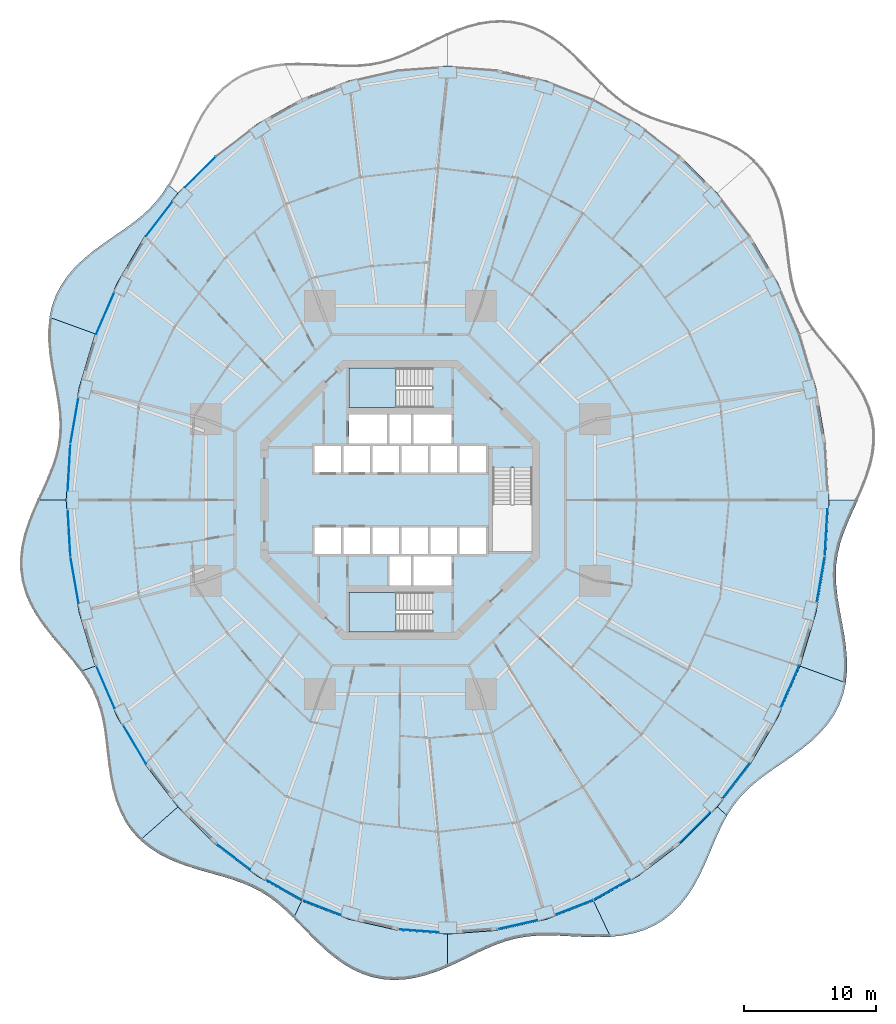
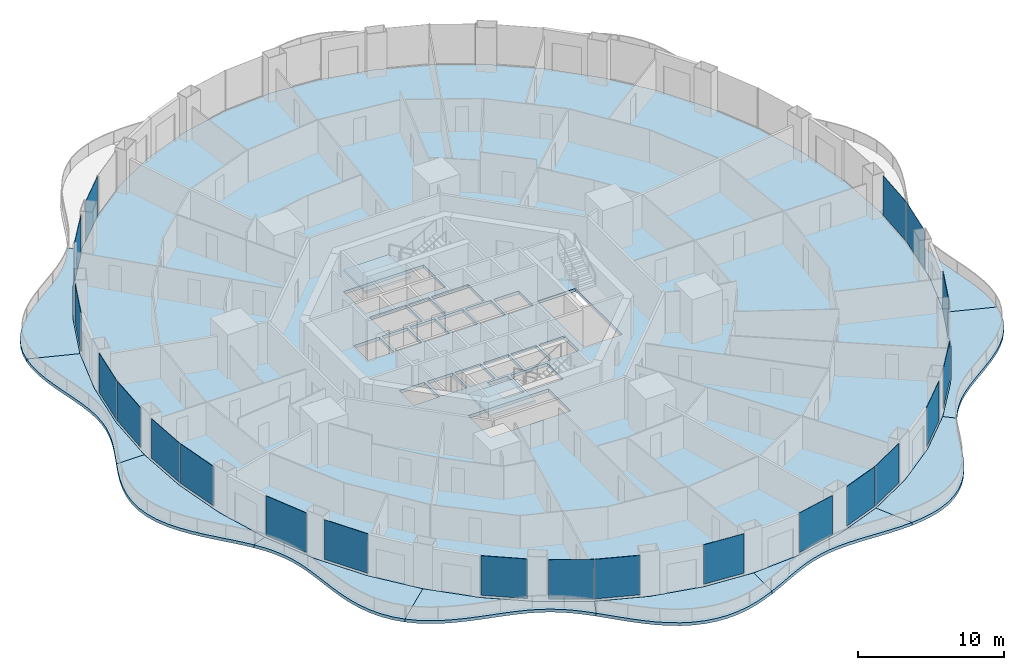
# One storey, part 12 of 22: 21 plates, 13 slabs, 23 elements without a shape of their own.
"""IFC4 building model written with IfcOpenShell, lengths in metres."""

from ifc_helpers import new_model, si_unit, direction, frame, origin, origin_2d, place, context, subcontext, project, spatial, polyline, rectangle, outline, extrude, material, layer, layer_set, type_object, element, aggregate, save


model = new_model("IFC4")

# Units and contexts
model_context = context("Model", 3, precision=1e-05, world=origin(), true_north=direction((0.0, 1.0)))
body_context = subcontext(model_context, "Body", "Model", "MODEL_VIEW")
ifc_project = project(units=[si_unit("LENGTHUNIT", "METRE"), si_unit("AREAUNIT", "SQUARE_METRE"), si_unit("VOLUMEUNIT", "CUBIC_METRE"), si_unit("PLANEANGLEUNIT", "RADIAN"), si_unit("MASSUNIT", "GRAM", prefix="KILO")], contexts=[model_context])

# Site, building, storey
site_placement = place(None, origin())
site = spatial("IfcSite", under=ifc_project, at=site_placement, CompositionType="ELEMENT")
building_placement = place(site_placement, origin())
building = spatial("IfcBuilding", under=site, at=building_placement, Name="Nagisa Residences", CompositionType="ELEMENT")
storey_placement = place(building_placement, frame((0.0, 0.0, 49.199951171875)))
storey = spatial("IfcBuildingStorey", under=building, at=storey_placement, Name="L11", CompositionType="ELEMENT", Elevation=49.199951171875)

# Slabs
ifc_material_1 = material(Name="Concrete C40/50", Category="concrete")
ifc_layer_1 = layer(ifc_material_1, 0.25)
ifc_layer_set_1 = layer_set([ifc_layer_1], Name="BALCONY SLAB 250")
slab_type_1 = type_object("IfcSlabType", Name="BALCONY SLAB 250", PredefinedType="FLOOR", material=ifc_layer_set_1)
slab_1_placement = place(storey_placement, frame((0.0, 0.0, -0.25)))
element("IfcSlab", 1, at=slab_1_placement, inside=storey, type_object=slab_type_1, Name="slab:L11:bal06", PredefinedType="FLOOR", context=body_context, shape_type="SweptSolid", body=[
    extrude(outline(polyline([(-17.645751953125, 23.984375), (-18.083740234375, 23.3017578125), (-18.57568359375, 22.668701171875), (-19.126953125, 22.0810546875), (-19.737060546875, 21.531005859375), (-20.4013671875, 21.008056640625), (-21.109375, 20.499267578125), (-21.846435546875, 19.99169921875), (-22.5947265625, 19.47119140625), (-23.333740234375, 18.926025390625), (-24.041748046875, 18.34521484375), (-24.697998046875, 17.72119140625), (-25.283203125, 17.049072265625), (-25.781494140625, 16.3271484375), (-26.181396484375, 15.55712890625), (-26.4765625, 14.74365234375), (-26.66650390625, 13.89306640625), (-23.192626953125, 12.628662109375), (-21.5146484375, 16.5), (-19.4072265625, 20.089111328125), (-16.906005859375, 23.33447265625), (-17.645751953125, 23.984375)])), origin(), (0.0, 0.0, 1.0), 0.25),
])
slab_2_placement = place(storey_placement, frame((0.0, 0.0, -0.25)))
element("IfcSlab", 2, at=slab_2_placement, inside=storey, type_object=slab_type_1, Name="slab:L11:bal07", PredefinedType="FLOOR", context=body_context, shape_type="SweptSolid", body=[
    extrude(outline(polyline([(-26.66650390625, 13.89306640625), (-26.758056640625, 12.986083984375), (-26.7548828125, 12.0595703125), (-26.67529296875, 11.1240234375), (-26.540283203125, 10.18994140625), (-26.37548828125, 9.265380859375), (-26.205810546875, 8.357177734375), (-26.05712890625, 7.46923828125), (-25.951416015625, 6.60302734375), (-25.907470703125, 5.75732421875), (-25.938232421875, 4.9287109375), (-26.05029296875, 4.1123046875), (-26.24365234375, 3.3017578125), (-26.510498046875, 2.490966796875), (-26.837890625, 1.67333984375), (-27.20654296875, 0.84423828125), (-27.59326171875, 0.0), (-25.39990234375, 0.0), (-25.15185546875, 4.307373046875), (-24.411865234375, 8.541015625), (-23.192626953125, 12.628662109375), (-26.66650390625, 13.89306640625)])), origin(), (0.0, 0.0, 1.0), 0.25),
])
slab_3_placement = place(storey_placement, frame((0.0, 0.0, -0.25)))
element("IfcSlab", 3, at=slab_3_placement, inside=storey, type_object=slab_type_1, Name="slab:L11:bal08", PredefinedType="FLOOR", context=body_context, shape_type="SweptSolid", body=[
    extrude(outline(polyline([(-27.59326171875, 0.0), (-27.971923828125, -0.860595703125), (-28.316650390625, -1.73681640625), (-28.601318359375, -2.625732421875), (-28.80419921875, -3.522216796875), (-28.90673828125, -4.420166015625), (-28.896728515625, -5.3125), (-28.7685546875, -6.19140625), (-28.5234375, -7.050537109375), (-28.16943359375, -7.884521484375), (-27.720458984375, -8.689453125), (-27.196044921875, -9.46435546875), (-26.61962890625, -10.2109375), (-26.01611328125, -10.93310546875), (-25.411376953125, -11.6376953125), (-24.82958984375, -12.332763671875), (-24.29150390625, -13.028564453125), (-23.192626953125, -12.628662109375), (-24.411865234375, -8.541015625), (-25.15185546875, -4.307373046875), (-25.39990234375, 0.0), (-27.59326171875, 0.0)])), origin(), (0.0, 0.0, 1.0), 0.25),
])
slab_4_placement = place(storey_placement, frame((0.0, 0.0, -0.25)))
element("IfcSlab", 4, at=slab_4_placement, inside=storey, type_object=slab_type_1, Name="slab:L11:bal09", PredefinedType="FLOOR", context=body_context, shape_type="SweptSolid", body=[
    extrude(outline(polyline([(-24.29150390625, -13.028564453125), (-23.827392578125, -13.712890625), (-23.429931640625, -14.416259765625), (-23.102783203125, -15.14599609375), (-22.844970703125, -15.907958984375), (-22.648681640625, -16.705322265625), (-22.501953125, -17.537841796875), (-22.388427734375, -18.40234375), (-22.288818359375, -19.29248046875), (-22.181884765625, -20.1982421875), (-22.046630859375, -21.107666015625), (-21.86328125, -22.0068359375), (-21.614990234375, -22.880615234375), (-21.287841796875, -23.714599609375), (-20.873291015625, -24.494873046875), (-20.367431640625, -25.21044921875), (-19.771484375, -25.852783203125), (-16.906005859375, -23.33447265625), (-19.4072265625, -20.089111328125), (-21.5146484375, -16.5), (-23.192626953125, -12.628662109375), (-24.29150390625, -13.028564453125)])), origin(), (0.0, 0.0, 1.0), 0.25),
])
slab_5_placement = place(storey_placement, frame((0.0, 0.0, -0.25)))
element("IfcSlab", 5, at=slab_5_placement, inside=storey, type_object=slab_type_1, Name="slab:L11:bal10", PredefinedType="FLOOR", context=body_context, shape_type="SweptSolid", body=[
    extrude(outline(polyline([(-19.771484375, -25.852783203125), (-19.125732421875, -26.392822265625), (-18.413330078125, -26.8623046875), (-17.646240234375, -27.2646484375), (-16.839111328125, -27.607177734375), (-16.0068359375, -27.900390625), (-15.1650390625, -28.157470703125), (-14.328125, -28.3935546875), (-13.508544921875, -28.624755859375), (-12.716796875, -28.867431640625), (-11.959716796875, -29.136474609375), (-11.240478515625, -29.445068359375), (-10.559326171875, -29.802978515625), (-9.912841796875, -30.216064453125), (-9.294677734375, -30.6865234375), (-8.6962890625, -31.2109375), (-8.107666015625, -31.7822265625), (-7.497802734375, -30.488037109375), (-10.89990234375, -28.578857421875), (-14.05419921875, -26.1806640625), (-16.906005859375, -23.33447265625), (-19.771484375, -25.852783203125)])), origin(), (0.0, 0.0, 1.0), 0.25),
])
slab_6_placement = place(storey_placement, frame((0.0, 0.0, -0.25)))
element("IfcSlab", 6, at=slab_6_placement, inside=storey, type_object=slab_type_1, Name="slab:L11:bal11", PredefinedType="FLOOR", context=body_context, shape_type="SweptSolid", body=[
    extrude(outline(polyline([(-8.107666015625, -31.7822265625), (-7.539794921875, -32.36572265625), (-6.96142578125, -32.968017578125), (-6.3642578125, -33.572509765625), (-5.74072265625, -34.161376953125), (-5.086181640625, -34.71630859375), (-4.3974609375, -35.219482421875), (-3.67431640625, -35.654541015625), (-2.918212890625, -36.007568359375), (-2.13330078125, -36.267822265625), (-1.325439453125, -36.42919921875), (-0.50146484375, -36.489501953125), (0.33056640625, -36.451171875), (1.163330078125, -36.321044921875), (1.989501953125, -36.110107421875), (2.80322265625, -35.8330078125), (3.60009765625, -35.5068359375), (3.60009765625, -33.0), (-0.185302734375, -32.7177734375), (-3.90576171875, -31.87548828125), (-7.497802734375, -30.488037109375), (-8.107666015625, -31.7822265625)])), origin(), (0.0, 0.0, 1.0), 0.25),
])
slab_7_placement = place(storey_placement, frame((0.0, 0.0, -0.25)))
element("IfcSlab", 7, at=slab_7_placement, inside=storey, type_object=slab_type_1, Name="slab:L11:bal12", PredefinedType="FLOOR", context=body_context, shape_type="SweptSolid", body=[
    extrude(outline(polyline([(3.60009765625, -35.5068359375), (4.377685546875, -35.150146484375), (5.1357421875, -34.781982421875), (5.876220703125, -34.42138671875), (6.6025390625, -34.0849609375), (7.31982421875, -33.786865234375), (8.0341796875, -33.537841796875), (8.752685546875, -33.3447265625), (9.4814453125, -33.209716796875), (10.22607421875, -33.13037109375), (10.990966796875, -33.1005859375), (11.7783203125, -33.109619140625), (12.588623046875, -33.14404296875), (13.419189453125, -33.18798828125), (14.26611328125, -33.224365234375), (15.121826171875, -33.2353515625), (15.97802734375, -33.204345703125), (14.69775390625, -30.488037109375), (11.105712890625, -31.87548828125), (7.38525390625, -32.7177734375), (3.60009765625, -33.0), (3.60009765625, -35.5068359375)])), origin(), (0.0, 0.0, 1.0), 0.25),
])
slab_8_placement = place(storey_placement, frame((0.0, 0.0, -0.25)))
element("IfcSlab", 8, at=slab_8_placement, inside=storey, type_object=slab_type_1, Name="slab:L11:bal13", PredefinedType="FLOOR", context=body_context, shape_type="SweptSolid", body=[
    extrude(outline(polyline([(15.97802734375, -33.204345703125), (16.8564453125, -33.111572265625), (17.71240234375, -32.943359375), (18.53466796875, -32.68994140625), (19.31201171875, -32.344970703125), (20.035400390625, -31.90771484375), (20.6982421875, -31.381103515625), (21.297119140625, -30.77294921875), (21.83203125, -30.0947265625), (22.306884765625, -29.3603515625), (22.728271484375, -28.5859375), (23.107177734375, -27.78857421875), (23.455810546875, -26.98486328125), (23.788818359375, -26.1904296875), (24.12158203125, -25.4189453125), (24.46923828125, -24.68115234375), (24.845703125, -23.984375), (24.106201171875, -23.33447265625), (21.254150390625, -26.1806640625), (18.10009765625, -28.578857421875), (14.69775390625, -30.488037109375), (15.97802734375, -33.204345703125)])), origin(), (0.0, 0.0, 1.0), 0.25),
])
slab_9_placement = place(storey_placement, frame((0.0, 0.0, -0.25)))
element("IfcSlab", 9, at=slab_9_placement, inside=storey, type_object=slab_type_1, Name="slab:L11:bal14", PredefinedType="FLOOR", context=body_context, shape_type="SweptSolid", body=[
    extrude(outline(polyline([(24.845703125, -23.984375), (25.28369140625, -23.3017578125), (25.77587890625, -22.668701171875), (26.326904296875, -22.0810546875), (26.93701171875, -21.531005859375), (27.601318359375, -21.008056640625), (28.309326171875, -20.499267578125), (29.04638671875, -19.99169921875), (29.794677734375, -19.47119140625), (30.53369140625, -18.926025390625), (31.24169921875, -18.34521484375), (31.89794921875, -17.72119140625), (32.483154296875, -17.049072265625), (32.9814453125, -16.3271484375), (33.38134765625, -15.55712890625), (33.676513671875, -14.74365234375), (33.866455078125, -13.89306640625), (30.392578125, -12.628662109375), (28.71484375, -16.5), (26.607177734375, -20.089111328125), (24.106201171875, -23.33447265625), (24.845703125, -23.984375)])), origin(), (0.0, 0.0, 1.0), 0.25),
])
slab_10_placement = place(storey_placement, frame((0.0, 0.0, -0.25)))
element("IfcSlab", 10, at=slab_10_placement, inside=storey, type_object=slab_type_1, Name="slab:L11:bal15", PredefinedType="FLOOR", context=body_context, shape_type="SweptSolid", body=[
    extrude(outline(polyline([(33.866455078125, -13.89306640625), (33.9580078125, -12.986083984375), (33.955078125, -12.0595703125), (33.875244140625, -11.1240234375), (33.740478515625, -10.18994140625), (33.575439453125, -9.265380859375), (33.406005859375, -8.357177734375), (33.257080078125, -7.46923828125), (33.1513671875, -6.60302734375), (33.107421875, -5.75732421875), (33.13818359375, -4.9287109375), (33.25048828125, -4.1123046875), (33.443603515625, -3.3017578125), (33.710693359375, -2.490966796875), (34.0380859375, -1.67333984375), (34.406494140625, -0.84423828125), (34.793212890625, 0.0), (32.60009765625, 0.0), (32.351806640625, -4.307373046875), (31.61181640625, -8.541015625), (30.392578125, -12.628662109375), (33.866455078125, -13.89306640625)])), origin(), (0.0, 0.0, 1.0), 0.25),
])

# Curtain wall, plate
ifc_material_2 = material(Name="Concrete-coloured aluminium curtain wall system", Category="concrete")
ifc_layer_2 = layer(ifc_material_2, 0.159912109375)
ifc_layer_set_2 = layer_set([ifc_layer_2], Name="CW1 CURTAIN WALL")
curtain_wall_type = type_object("IfcCurtainWallType", Name="CW1 CURTAIN WALL", PredefinedType="NOTDEFINED", material=ifc_layer_set_2)
curtain_wall_1_placement = place(storey_placement, origin())
curtain_wall_1 = element("IfcCurtainWall", 11, at=curtain_wall_1_placement, inside=storey, type_object=curtain_wall_type, Name="cw:CW1:L11:17", PredefinedType="NOTDEFINED")
ifc_material_3 = material(Name="Clear laminated glass", Category="glass")
ifc_layer_3 = layer(ifc_material_3, 0.028076171875)
ifc_layer_set_3 = layer_set([ifc_layer_3], Name="CW1 GLASS PANEL")
plate_type = type_object("IfcPlateType", Name="CW1 GLASS PANEL", PredefinedType="CURTAIN_PANEL", material=ifc_layer_set_3)
plate_1_placement = place(storey_placement, frame((-15.197021484375, 24.927001953125, 0.150146484375), z_axis=(0.0, 0.0, 1.0), x_axis=(-0.707835924016, -0.706376885714, 0.0)))
plate_1 = element("IfcPlate", 12, at=plate_1_placement, type_object=plate_type, Name="CW1 panel", PredefinedType="CURTAIN_PANEL", context=body_context, shape_type="SweptSolid", body=[
    extrude(rectangle(XDim=3.269287109375, YDim=0.028076171875, at=origin_2d()), origin(), (0.0, 0.0, 1.0), 3.2900390625),
])
aggregate(curtain_wall_1, [plate_1])

curtain_wall_2_placement = place(storey_placement, origin())
curtain_wall_2 = element("IfcCurtainWall", 13, at=curtain_wall_2_placement, inside=storey, type_object=curtain_wall_type, Name="cw:CW1:L11:18", PredefinedType="NOTDEFINED")
plate_2_placement = place(storey_placement, frame((-18.3251953125, 21.362060546875, 0.150146484375), z_axis=(0.0, 0.0, 1.0), x_axis=(-0.610429828235, -0.792070340816, 0.0)))
plate_2 = element("IfcPlate", 14, at=plate_2_placement, type_object=plate_type, Name="CW1 panel", PredefinedType="CURTAIN_PANEL", context=body_context, shape_type="SweptSolid", body=[
    extrude(rectangle(XDim=3.33740234375, YDim=0.028076171875, at=origin_2d()), origin(), (0.0, 0.0, 1.0), 3.2900390625),
])
aggregate(curtain_wall_2, [plate_2])

curtain_wall_3_placement = place(storey_placement, origin())
curtain_wall_3 = element("IfcCurtainWall", 15, at=curtain_wall_3_placement, inside=storey, type_object=curtain_wall_type, Name="cw:CW1:L11:20", PredefinedType="NOTDEFINED")
plate_3_placement = place(storey_placement, frame((-22.431396484375, 14.183837890625, 0.150146484375), z_axis=(0.0, 0.0, 1.0), x_axis=(-0.397635934147, -0.917543276295, 0.0)))
plate_3 = element("IfcPlate", 16, at=plate_3_placement, type_object=plate_type, Name="CW1 panel", PredefinedType="CURTAIN_PANEL", context=body_context, shape_type="SweptSolid", body=[
    extrude(rectangle(XDim=3.45947265625, YDim=0.028076171875, at=origin_2d()), origin(), (0.0, 0.0, 1.0), 3.2900390625),
])
aggregate(curtain_wall_3, [plate_3])

curtain_wall_4_placement = place(storey_placement, origin())
curtain_wall_4 = element("IfcCurtainWall", 17, at=curtain_wall_4_placement, inside=storey, type_object=curtain_wall_type, Name="cw:CW1:L11:22", PredefinedType="NOTDEFINED")
plate_4_placement = place(storey_placement, frame((-24.7685546875, 6.0361328125, 0.150146484375), z_axis=(0.0, 0.0, 1.0), x_axis=(-0.172190868898, -0.985063604377, 0.0)))
plate_4 = element("IfcPlate", 18, at=plate_4_placement, type_object=plate_type, Name="CW1 panel", PredefinedType="CURTAIN_PANEL", context=body_context, shape_type="SweptSolid", body=[
    extrude(rectangle(XDim=3.537841796875, YDim=0.028076171875, at=origin_2d()), origin(), (0.0, 0.0, 1.0), 3.2900390625),
])
aggregate(curtain_wall_4, [plate_4])

curtain_wall_5_placement = place(storey_placement, origin())
curtain_wall_5 = element("IfcCurtainWall", 19, at=curtain_wall_5_placement, inside=storey, type_object=curtain_wall_type, Name="cw:CW1:L11:23", PredefinedType="NOTDEFINED")
plate_5_placement = place(storey_placement, frame((-25.177734375, 2.468505859375, 0.150146484375), z_axis=(0.0, 0.0, 1.0), x_axis=(-0.057503492216, -0.998345305184, 0.0)))
plate_5 = element("IfcPlate", 20, at=plate_5_placement, type_object=plate_type, Name="CW1 panel", PredefinedType="CURTAIN_PANEL", context=body_context, shape_type="SweptSolid", body=[
    extrude(rectangle(XDim=3.554443359375, YDim=0.028076171875, at=origin_2d()), origin(), (0.0, 0.0, 1.0), 3.2900390625),
])
aggregate(curtain_wall_5, [plate_5])

curtain_wall_6_placement = place(storey_placement, origin())
curtain_wall_6 = element("IfcCurtainWall", 21, at=curtain_wall_6_placement, inside=storey, type_object=curtain_wall_type, Name="cw:CW1:L11:24", PredefinedType="NOTDEFINED")
plate_6_placement = place(storey_placement, frame((-25.17431640625, -2.528564453125, 0.150146484375), z_axis=(0.0, 0.0, 1.0), x_axis=(0.057503492216, -0.998345305184, 0.0)))
plate_6 = element("IfcPlate", 22, at=plate_6_placement, type_object=plate_type, Name="CW1 panel", PredefinedType="CURTAIN_PANEL", context=body_context, shape_type="SweptSolid", body=[
    extrude(rectangle(XDim=3.554443359375, YDim=0.028076171875, at=origin_2d()), origin(), (0.0, 0.0, 1.0), 3.2900390625),
])
aggregate(curtain_wall_6, [plate_6])

curtain_wall_7_placement = place(storey_placement, origin())
curtain_wall_7 = element("IfcCurtainWall", 23, at=curtain_wall_7_placement, inside=storey, type_object=curtain_wall_type, Name="cw:CW1:L11:25", PredefinedType="NOTDEFINED")
plate_7_placement = place(storey_placement, frame((-24.758056640625, -6.09521484375, 0.150146484375), z_axis=(0.0, 0.0, 1.0), x_axis=(0.172190868898, -0.985063604377, 0.0)))
plate_7 = element("IfcPlate", 24, at=plate_7_placement, type_object=plate_type, Name="CW1 panel", PredefinedType="CURTAIN_PANEL", context=body_context, shape_type="SweptSolid", body=[
    extrude(rectangle(XDim=3.537841796875, YDim=0.028076171875, at=origin_2d()), origin(), (0.0, 0.0, 1.0), 3.2900390625),
])
aggregate(curtain_wall_7, [plate_7])

curtain_wall_8_placement = place(storey_placement, origin())
curtain_wall_8 = element("IfcCurtainWall", 25, at=curtain_wall_8_placement, inside=storey, type_object=curtain_wall_type, Name="cw:CW1:L11:27", PredefinedType="NOTDEFINED")
plate_8_placement = place(storey_placement, frame((-22.407470703125, -14.23876953125, 0.150146484375), z_axis=(0.0, 0.0, 1.0), x_axis=(0.397635934147, -0.917543276295, 0.0)))
plate_8 = element("IfcPlate", 26, at=plate_8_placement, type_object=plate_type, Name="CW1 panel", PredefinedType="CURTAIN_PANEL", context=body_context, shape_type="SweptSolid", body=[
    extrude(rectangle(XDim=3.45947265625, YDim=0.028076171875, at=origin_2d()), origin(), (0.0, 0.0, 1.0), 3.2900390625),
])
aggregate(curtain_wall_8, [plate_8])

curtain_wall_9_placement = place(storey_placement, origin())
curtain_wall_9 = element("IfcCurtainWall", 27, at=curtain_wall_9_placement, inside=storey, type_object=curtain_wall_type, Name="cw:CW1:L11:28", PredefinedType="NOTDEFINED")
plate_9_placement = place(storey_placement, frame((-20.19970703125, -18.581787109375, 0.150146484375), z_axis=(0.0, 0.0, 1.0), x_axis=(0.506348567002, -0.862328898214, 0.0)))
plate_9 = element("IfcPlate", 28, at=plate_9_placement, type_object=plate_type, Name="CW1 panel", PredefinedType="CURTAIN_PANEL", context=body_context, shape_type="SweptSolid", body=[
    extrude(rectangle(XDim=3.402099609375, YDim=0.028076171875, at=origin_2d()), origin(), (0.0, 0.0, 1.0), 3.2900390625),
])
aggregate(curtain_wall_9, [plate_9])

curtain_wall_10_placement = place(storey_placement, origin())
curtain_wall_10 = element("IfcCurtainWall", 29, at=curtain_wall_10_placement, inside=storey, type_object=curtain_wall_type, Name="cw:CW1:L11:31", PredefinedType="NOTDEFINED")
plate_10_placement = place(storey_placement, frame((-12.683349609375, -27.122314453125, 0.150146484375), z_axis=(0.0, 0.0, 1.0), x_axis=(0.79603132756, -0.605255421737, 0.0)))
plate_10 = element("IfcPlate", 30, at=plate_10_placement, type_object=plate_type, Name="CW1 panel", PredefinedType="CURTAIN_PANEL", context=body_context, shape_type="SweptSolid", body=[
    extrude(rectangle(XDim=3.2021484375, YDim=0.028076171875, at=origin_2d()), origin(), (0.0, 0.0, 1.0), 3.2900390625),
])
aggregate(curtain_wall_10, [plate_10])

curtain_wall_11_placement = place(storey_placement, origin())
curtain_wall_11 = element("IfcCurtainWall", 31, at=curtain_wall_11_placement, inside=storey, type_object=curtain_wall_type, Name="cw:CW1:L11:32", PredefinedType="NOTDEFINED")
plate_11_placement = place(storey_placement, frame((-8.828369140625, -29.649658203125, 0.150146484375), z_axis=(0.0, 0.0, 1.0), x_axis=(0.872072377523, -0.489376918501, 0.0)))
plate_11 = element("IfcPlate", 32, at=plate_11_placement, type_object=plate_type, Name="CW1 panel", PredefinedType="CURTAIN_PANEL", context=body_context, shape_type="SweptSolid", body=[
    extrude(rectangle(XDim=3.141357421875, YDim=0.028076171875, at=origin_2d()), origin(), (0.0, 0.0, 1.0), 3.2900390625),
])
aggregate(curtain_wall_11, [plate_11])

curtain_wall_12_placement = place(storey_placement, origin())
curtain_wall_12 = element("IfcCurtainWall", 33, at=curtain_wall_12_placement, inside=storey, type_object=curtain_wall_type, Name="cw:CW1:L11:33", PredefinedType="NOTDEFINED")
plate_12_placement = place(storey_placement, frame((-5.971435546875, -30.991943359375, 0.150146484375), z_axis=(0.0, 0.0, 1.0), x_axis=(0.932825759707, -0.360327770268, 0.0)))
plate_12 = element("IfcPlate", 34, at=plate_12_placement, type_object=plate_type, Name="CW1 panel", PredefinedType="CURTAIN_PANEL", context=body_context, shape_type="SweptSolid", body=[
    extrude(rectangle(XDim=3.0908203125, YDim=0.028076171875, at=origin_2d()), origin(), (0.0, 0.0, 1.0), 3.2900390625),
])
aggregate(curtain_wall_12, [plate_12])

curtain_wall_13_placement = place(storey_placement, origin())
curtain_wall_13 = element("IfcCurtainWall", 35, at=curtain_wall_13_placement, inside=storey, type_object=curtain_wall_type, Name="cw:CW1:L11:35", PredefinedType="NOTDEFINED")
plate_13_placement = place(storey_placement, frame((1.394287109375, -32.75537109375, 0.150146484375), z_axis=(0.0, 0.0, 1.0), x_axis=(0.997230168512, -0.074377355493, 0.0)))
plate_13 = element("IfcPlate", 36, at=plate_13_placement, type_object=plate_type, Name="CW1 panel", PredefinedType="CURTAIN_PANEL", context=body_context, shape_type="SweptSolid", body=[
    extrude(rectangle(XDim=3.035888671875, YDim=0.028076171875, at=origin_2d()), origin(), (0.0, 0.0, 1.0), 3.2900390625),
])
aggregate(curtain_wall_13, [plate_13])

curtain_wall_14_placement = place(storey_placement, origin())
curtain_wall_14 = element("IfcCurtainWall", 37, at=curtain_wall_14_placement, inside=storey, type_object=curtain_wall_type, Name="cw:CW1:L11:37", PredefinedType="NOTDEFINED")
plate_14_placement = place(storey_placement, frame((8.915771484375, -32.289306640625, 0.150146484375), z_axis=(0.0, 0.0, 1.0), x_axis=(0.975327274089, 0.2207639201, 0.0)))
plate_14 = element("IfcPlate", 38, at=plate_14_placement, type_object=plate_type, Name="CW1 panel", PredefinedType="CURTAIN_PANEL", context=body_context, shape_type="SweptSolid", body=[
    extrude(rectangle(XDim=3.0546875, YDim=0.028076171875, at=origin_2d()), origin(), (0.0, 0.0, 1.0), 3.2900390625),
])
aggregate(curtain_wall_14, [plate_14])

curtain_wall_15_placement = place(storey_placement, origin())
curtain_wall_15 = element("IfcCurtainWall", 39, at=curtain_wall_15_placement, inside=storey, type_object=curtain_wall_type, Name="cw:CW1:L11:38", PredefinedType="NOTDEFINED")
plate_15_placement = place(storey_placement, frame((13.2275390625, -30.97021484375, 0.150146484375), z_axis=(0.0, 0.0, 1.0), x_axis=(0.932825759707, 0.360327770268, 0.0)))
plate_15 = element("IfcPlate", 40, at=plate_15_placement, type_object=plate_type, Name="CW1 panel", PredefinedType="CURTAIN_PANEL", context=body_context, shape_type="SweptSolid", body=[
    extrude(rectangle(XDim=3.0908203125, YDim=0.028076171875, at=origin_2d()), origin(), (0.0, 0.0, 1.0), 3.2900390625),
])
aggregate(curtain_wall_15, [plate_15])

curtain_wall_16_placement = place(storey_placement, origin())
curtain_wall_16 = element("IfcCurtainWall", 41, at=curtain_wall_16_placement, inside=storey, type_object=curtain_wall_type, Name="cw:CW1:L11:39", PredefinedType="NOTDEFINED")
plate_16_placement = place(storey_placement, frame((16.080810546875, -29.620361328125, 0.150146484375), z_axis=(0.0, 0.0, 1.0), x_axis=(0.872072377523, 0.489376918501, 0.0)))
plate_16 = element("IfcPlate", 42, at=plate_16_placement, type_object=plate_type, Name="CW1 panel", PredefinedType="CURTAIN_PANEL", context=body_context, shape_type="SweptSolid", body=[
    extrude(rectangle(XDim=3.141357421875, YDim=0.028076171875, at=origin_2d()), origin(), (0.0, 0.0, 1.0), 3.2900390625),
])
aggregate(curtain_wall_16, [plate_16])

curtain_wall_17_placement = place(storey_placement, origin())
curtain_wall_17 = element("IfcCurtainWall", 43, at=curtain_wall_17_placement, inside=storey, type_object=curtain_wall_type, Name="cw:CW1:L11:41", PredefinedType="NOTDEFINED")
plate_17_placement = place(storey_placement, frame((22.39697265625, -24.927001953125, 0.150146484375), z_axis=(0.0, 0.0, 1.0), x_axis=(0.707835924016, 0.706376885714, 0.0)))
plate_17 = element("IfcPlate", 44, at=plate_17_placement, type_object=plate_type, Name="CW1 panel", PredefinedType="CURTAIN_PANEL", context=body_context, shape_type="SweptSolid", body=[
    extrude(rectangle(XDim=3.269287109375, YDim=0.028076171875, at=origin_2d()), origin(), (0.0, 0.0, 1.0), 3.2900390625),
])
aggregate(curtain_wall_17, [plate_17])

curtain_wall_18_placement = place(storey_placement, origin())
curtain_wall_18 = element("IfcCurtainWall", 45, at=curtain_wall_18_placement, inside=storey, type_object=curtain_wall_type, Name="cw:CW1:L11:42", PredefinedType="NOTDEFINED")
plate_18_placement = place(storey_placement, frame((25.525390625, -21.362060546875, 0.150146484375), z_axis=(0.0, 0.0, 1.0), x_axis=(0.610429828235, 0.792070340816, 0.0)))
plate_18 = element("IfcPlate", 46, at=plate_18_placement, type_object=plate_type, Name="CW1 panel", PredefinedType="CURTAIN_PANEL", context=body_context, shape_type="SweptSolid", body=[
    extrude(rectangle(XDim=3.33740234375, YDim=0.028076171875, at=origin_2d()), origin(), (0.0, 0.0, 1.0), 3.2900390625),
])
aggregate(curtain_wall_18, [plate_18])

curtain_wall_19_placement = place(storey_placement, origin())
curtain_wall_19 = element("IfcCurtainWall", 47, at=curtain_wall_19_placement, inside=storey, type_object=curtain_wall_type, Name="cw:CW1:L11:44", PredefinedType="NOTDEFINED")
plate_19_placement = place(storey_placement, frame((29.63134765625, -14.183837890625, 0.150146484375), z_axis=(0.0, 0.0, 1.0), x_axis=(0.397635934147, 0.917543276295, 0.0)))
plate_19 = element("IfcPlate", 48, at=plate_19_placement, type_object=plate_type, Name="CW1 panel", PredefinedType="CURTAIN_PANEL", context=body_context, shape_type="SweptSolid", body=[
    extrude(rectangle(XDim=3.45947265625, YDim=0.028076171875, at=origin_2d()), origin(), (0.0, 0.0, 1.0), 3.2900390625),
])
aggregate(curtain_wall_19, [plate_19])

curtain_wall_20_placement = place(storey_placement, origin())
curtain_wall_20 = element("IfcCurtainWall", 49, at=curtain_wall_20_placement, inside=storey, type_object=curtain_wall_type, Name="cw:CW1:L11:46", PredefinedType="NOTDEFINED")
plate_20_placement = place(storey_placement, frame((31.968505859375, -6.0361328125, 0.150146484375), z_axis=(0.0, 0.0, 1.0), x_axis=(0.172190868898, 0.985063604377, 0.0)))
plate_20 = element("IfcPlate", 50, at=plate_20_placement, type_object=plate_type, Name="CW1 panel", PredefinedType="CURTAIN_PANEL", context=body_context, shape_type="SweptSolid", body=[
    extrude(rectangle(XDim=3.537841796875, YDim=0.028076171875, at=origin_2d()), origin(), (0.0, 0.0, 1.0), 3.2900390625),
])
aggregate(curtain_wall_20, [plate_20])

curtain_wall_21_placement = place(storey_placement, origin())
curtain_wall_21 = element("IfcCurtainWall", 51, at=curtain_wall_21_placement, inside=storey, type_object=curtain_wall_type, Name="cw:CW1:L11:47", PredefinedType="NOTDEFINED")
plate_21_placement = place(storey_placement, frame((32.377685546875, -2.468505859375, 0.150146484375), z_axis=(0.0, 0.0, 1.0), x_axis=(0.057503492216, 0.998345305184, 0.0)))
plate_21 = element("IfcPlate", 52, at=plate_21_placement, type_object=plate_type, Name="CW1 panel", PredefinedType="CURTAIN_PANEL", context=body_context, shape_type="SweptSolid", body=[
    extrude(rectangle(XDim=3.554443359375, YDim=0.028076171875, at=origin_2d()), origin(), (0.0, 0.0, 1.0), 3.2900390625),
])
aggregate(curtain_wall_21, [plate_21])

# Slab
ifc_material_4 = material(Name="Concrete C40", Category="concrete")
ifc_layer_4 = layer(ifc_material_4, 0.260009765625)
ifc_layer_set_4 = layer_set([ifc_layer_4], Name="Floor slab 260")
slab_type_2 = type_object("IfcSlabType", Name="Floor slab 260", PredefinedType="FLOOR", material=ifc_layer_set_4)
slab_11_placement = place(storey_placement, frame((0.0, 0.0, -0.260009765625)))
element("IfcSlab", 53, at=slab_11_placement, inside=storey, type_object=slab_type_2, Name="slab:L11:floor", PredefinedType="FLOOR", context=body_context, shape_type="SweptSolid", body=[
    extrude(outline(polyline([(32.60009765625, 0.0), (32.351806640625, 4.307373046875), (31.61181640625, 8.541015625), (30.392578125, 12.628662109375), (28.71484375, 16.5), (26.607177734375, 20.089111328125), (24.106201171875, 23.33447265625), (21.254150390625, 26.1806640625), (18.10009765625, 28.578857421875), (14.69775390625, 30.488037109375), (11.105712890625, 31.87548828125), (7.38525390625, 32.7177734375), (3.60009765625, 33.0), (-0.185302734375, 32.7177734375), (-3.90576171875, 31.87548828125), (-7.497802734375, 30.488037109375), (-10.89990234375, 28.578857421875), (-14.05419921875, 26.1806640625), (-16.906005859375, 23.33447265625), (-19.4072265625, 20.089111328125), (-21.5146484375, 16.5), (-23.192626953125, 12.628662109375), (-24.411865234375, 8.541015625), (-25.15185546875, 4.307373046875), (-25.39990234375, 0.0), (-25.15185546875, -4.307373046875), (-24.411865234375, -8.541015625), (-23.192626953125, -12.628662109375), (-21.5146484375, -16.5), (-19.4072265625, -20.089111328125), (-16.906005859375, -23.33447265625), (-14.05419921875, -26.1806640625), (-10.89990234375, -28.578857421875), (-7.497802734375, -30.488037109375), (-3.90576171875, -31.87548828125), (-0.185302734375, -32.7177734375), (3.60009765625, -33.0), (7.38525390625, -32.7177734375), (11.105712890625, -31.87548828125), (14.69775390625, -30.488037109375), (18.10009765625, -28.578857421875), (21.254150390625, -26.1806640625), (24.106201171875, -23.33447265625), (26.607177734375, -20.089111328125), (28.71484375, -16.5), (30.392578125, -12.628662109375), (31.61181640625, -8.541015625), (32.351806640625, -4.307373046875), (32.60009765625, 0.0)]), holes=[polyline([(-4.5, 2.10009765625), (-4.5, 4.10009765625), (-6.5, 4.10009765625), (-6.5, 2.10009765625), (-4.5, 2.10009765625)]), polyline([(-2.300048828125, 2.10009765625), (-2.300048828125, 4.10009765625), (-4.300048828125, 4.10009765625), (-4.300048828125, 2.10009765625), (-2.300048828125, 2.10009765625)]), polyline([(-0.10009765625, 2.10009765625), (-0.10009765625, 4.10009765625), (-2.10009765625, 4.10009765625), (-2.10009765625, 2.10009765625), (-0.10009765625, 2.10009765625)]), polyline([(2.10009765625, 2.10009765625), (2.10009765625, 4.10009765625), (0.10009765625, 4.10009765625), (0.10009765625, 2.10009765625), (2.10009765625, 2.10009765625)]), polyline([(4.300048828125, 2.10009765625), (4.300048828125, 4.10009765625), (2.300048828125, 4.10009765625), (2.300048828125, 2.10009765625), (4.300048828125, 2.10009765625)]), polyline([(6.5, 2.10009765625), (6.5, 4.10009765625), (4.5, 4.10009765625), (4.5, 2.10009765625), (6.5, 2.10009765625)]), polyline([(-4.5, -4.10009765625), (-4.5, -2.10009765625), (-6.5, -2.10009765625), (-6.5, -4.10009765625), (-4.5, -4.10009765625)]), polyline([(-2.300048828125, -4.10009765625), (-2.300048828125, -2.10009765625), (-4.300048828125, -2.10009765625), (-4.300048828125, -4.10009765625), (-2.300048828125, -4.10009765625)]), polyline([(-0.10009765625, -4.10009765625), (-0.10009765625, -2.10009765625), (-2.10009765625, -2.10009765625), (-2.10009765625, -4.10009765625), (-0.10009765625, -4.10009765625)]), polyline([(2.10009765625, -4.10009765625), (2.10009765625, -2.10009765625), (0.10009765625, -2.10009765625), (0.10009765625, -4.10009765625), (2.10009765625, -4.10009765625)]), polyline([(4.300048828125, -4.10009765625), (4.300048828125, -2.10009765625), (2.300048828125, -2.10009765625), (2.300048828125, -4.10009765625), (4.300048828125, -4.10009765625)]), polyline([(6.5, -4.10009765625), (6.5, -2.10009765625), (4.5, -2.10009765625), (4.5, -4.10009765625), (6.5, -4.10009765625)]), polyline([(3.89990234375, 4.300048828125), (3.89990234375, 6.5), (1.0, 6.5), (1.0, 4.300048828125), (3.89990234375, 4.300048828125)]), polyline([(3.89990234375, -6.5), (3.89990234375, -4.300048828125), (1.0, -4.300048828125), (1.0, -6.5), (3.89990234375, -6.5)]), polyline([(-1.0, 4.300048828125), (-1.0, 6.5), (-3.89990234375, 6.5), (-3.89990234375, 4.300048828125), (-1.0, 4.300048828125)]), polyline([(0.800048828125, 4.300048828125), (0.800048828125, 6.5), (-0.800048828125, 6.5), (-0.800048828125, 4.300048828125), (0.800048828125, 4.300048828125)]), polyline([(0.800048828125, -6.5), (0.800048828125, -4.300048828125), (-0.800048828125, -4.300048828125), (-0.800048828125, -6.5), (0.800048828125, -6.5)]), polyline([(10.024658203125, -3.89990234375), (7.024658203125, -3.89990234375), (7.024658203125, 2.425048828125), (10.024658203125, 2.425048828125), (10.024658203125, -3.89990234375)]), polyline([(-3.89990234375, 7.024658203125), (-3.89990234375, 10.024658203125), (2.425048828125, 10.024658203125), (2.425048828125, 7.024658203125), (-3.89990234375, 7.024658203125)]), polyline([(-3.89990234375, -10.024658203125), (-3.89990234375, -7.024658203125), (2.425048828125, -7.024658203125), (2.425048828125, -10.024658203125), (-3.89990234375, -10.024658203125)])]), origin(), (0.0, 0.0, 1.0), 0.260009765625),
])

# Stair, slab
ifc_material_5 = material(Name="Concrete C60", Category="concrete")
stair_type = type_object("IfcStairType", Name="Exit stair", PredefinedType="HALF_TURN_STAIR", material=ifc_material_5)
stair_1_placement = place(storey_placement, origin())
stair_1 = element("IfcStair", 54, at=stair_1_placement, inside=storey, type_object=stair_type, Name="L11 Exit stair N", PredefinedType="HALF_TURN_STAIR")
ifc_material_6 = material(Name="Concrete C60", Category="concrete")
ifc_layer_5 = layer(ifc_material_6, 0.199951171875)
ifc_layer_set_5 = layer_set([ifc_layer_5], Name="Stair landing")
slab_type_3 = type_object("IfcSlabType", Name="Stair landing", PredefinedType="LANDING", material=ifc_layer_set_5)
slab_12_placement = place(storey_placement, frame((0.0, 0.0, 1.650146484375)))
slab_12 = element("IfcSlab", 55, at=slab_12_placement, type_object=slab_type_3, Name="ST-N landing 1", PredefinedType="LANDING", context=body_context, shape_type="SweptSolid", body=[
    extrude(outline(polyline([(-0.324951171875, 10.024658203125), (-3.89990234375, 10.024658203125), (-3.89990234375, 7.024658203125), (-0.324951171875, 7.024658203125), (-0.324951171875, 10.024658203125)])), origin(), (0.0, 0.0, 1.0), 0.199951171875),
])
aggregate(stair_1, [slab_12])

stair_2_placement = place(storey_placement, origin())
stair_2 = element("IfcStair", 56, at=stair_2_placement, inside=storey, type_object=stair_type, Name="L11 Exit stair S", PredefinedType="HALF_TURN_STAIR")
slab_13_placement = place(storey_placement, frame((0.0, 0.0, 1.650146484375)))
slab_13 = element("IfcSlab", 57, at=slab_13_placement, type_object=slab_type_3, Name="ST-S landing 1", PredefinedType="LANDING", context=body_context, shape_type="SweptSolid", body=[
    extrude(outline(polyline([(-0.324951171875, -7.024658203125), (-3.89990234375, -7.024658203125), (-3.89990234375, -10.024658203125), (-0.324951171875, -10.024658203125), (-0.324951171875, -7.024658203125)])), origin(), (0.0, 0.0, 1.0), 0.199951171875),
])
aggregate(stair_2, [slab_13])

save(model, "model.ifc")
